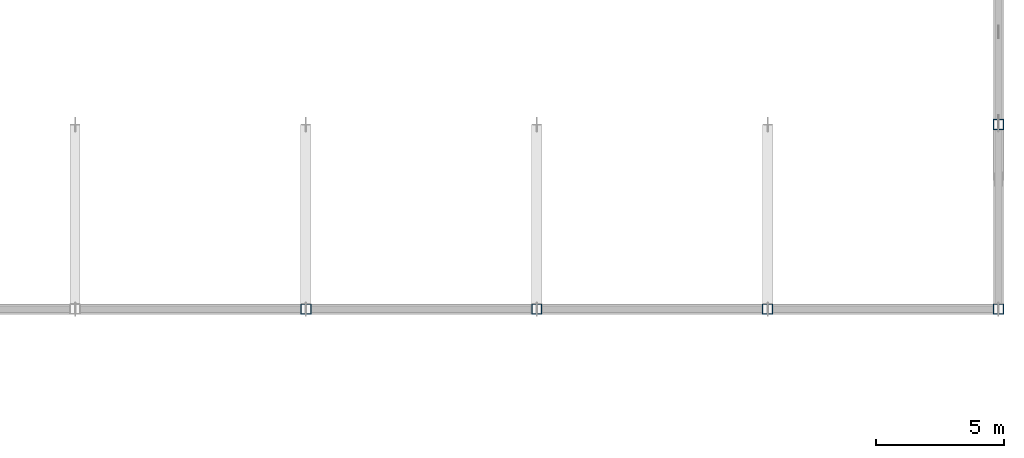
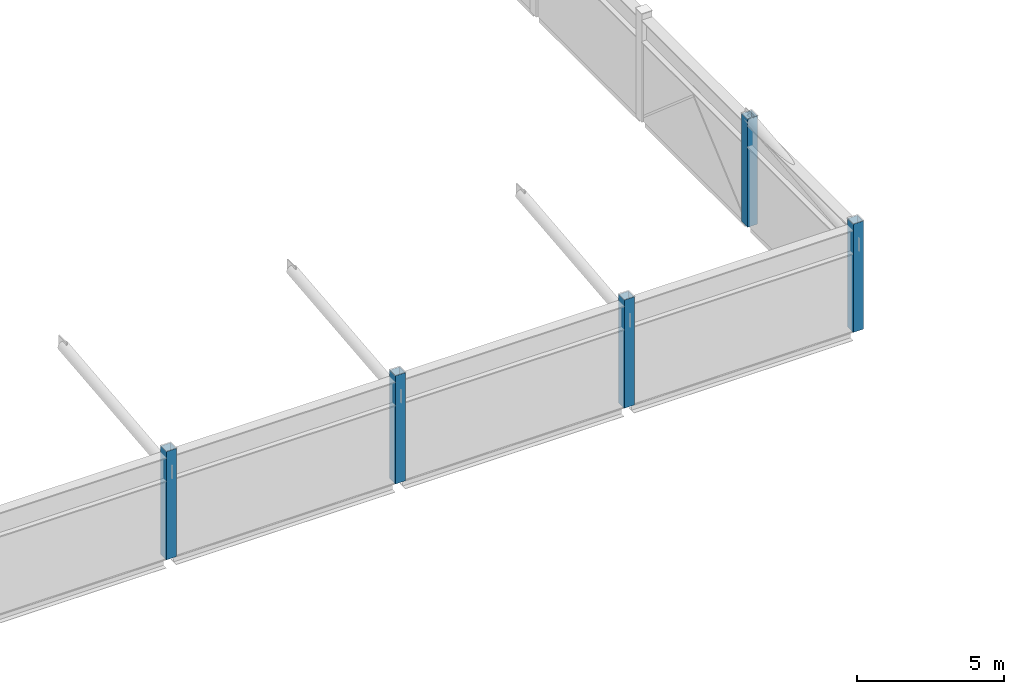
# One storey, part 5 of 124: 5 columns.
"""IFC4 building model written with IfcOpenShell, lengths in metres."""

from ifc_helpers import new_model, si_unit, direction, frame, origin, origin_2d, place, context, subcontext, project, spatial, hollow_rectangle, extrude, material, material_profile, profile_set, type_object, element, save


model = new_model("IFC4")

# Units and contexts
model_context = context("Model", 3, precision=1e-05, world=origin(), true_north=direction((0.0, 1.0)))
body_context = subcontext(model_context, "Body", "Model", "MODEL_VIEW")
ifc_project = project(units=[si_unit("LENGTHUNIT", "METRE"), si_unit("AREAUNIT", "SQUARE_METRE"), si_unit("VOLUMEUNIT", "CUBIC_METRE"), si_unit("PLANEANGLEUNIT", "RADIAN"), si_unit("MASSUNIT", "GRAM", prefix="KILO")], contexts=[model_context])

# Site, building, storey
site_placement = place(None, origin())
site = spatial("IfcSite", under=ifc_project, at=site_placement, CompositionType="ELEMENT")
building_placement = place(site_placement, origin())
building = spatial("IfcBuilding", under=site, at=building_placement, Name="Celestram Park Convention Centre", CompositionType="ELEMENT")
storey_placement = place(building_placement, frame((0.0, 0.0, 15.300048828125)))
storey = spatial("IfcBuildingStorey", under=building, at=storey_placement, Name="L03", CompositionType="ELEMENT", Elevation=15.300048828125)

# Columns
ifc_material = material(Name="Steel ASTM A500 Grade C", Category="steel")
ifc_material_profile = material_profile(ifc_material, hollow_rectangle(XDim=0.39990234375, YDim=0.39990234375, WallThickness=0.01611328125, at=origin_2d()), Name="HSS400X400X16")
ifc_profile_set = profile_set([ifc_material_profile], Name="Steel ASTM A500 Grade C")
column_type = type_object("IfcColumnType", Name="STR-COL-HSS400", PredefinedType="COLUMN", material=ifc_profile_set)
for number, where, z_axis, x_axis, name in (
    (1, (189.0, 115.199951171875, 0.0), (0.0, 0.0, 1.0), (1.0, 0.0, 0.0), "Column CN-L03-157"),
    (2, (198.0, 115.199951171875, 0.0), (0.0, 0.0, 1.0), (1.0, 0.0, 0.0), "Column CN-L03-159"),
    (3, (207.0, 115.199951171875, 0.0), (0.0, 0.0, 1.0), (1.0, 0.0, 0.0), "Column CN-L03-161"),
    (4, (216.0, 115.199951171875, 0.0), (0.0, 0.0, 1.0), (1.0, 0.0, 0.0), "Column CN-L03-163"),
    (5, (216.0, 122.39990234375, 0.0), (0.0, 0.0, 1.0), (1.0, 0.0, 0.0), "Column CN-L03-164"),
):
    element("IfcColumn", number, at=place(storey_placement, frame(where, z_axis=z_axis, x_axis=x_axis)), inside=storey, type_object=column_type, Name=name, PredefinedType="COLUMN", context=body_context, shape_type="SweptSolid", body=[
        extrude(hollow_rectangle(XDim=0.39990234375, YDim=0.39990234375, WallThickness=0.01611328125, at=origin_2d()), origin(), (0.0, 0.0, 1.0), 4.5),
    ])

save(model, "model.ifc")
